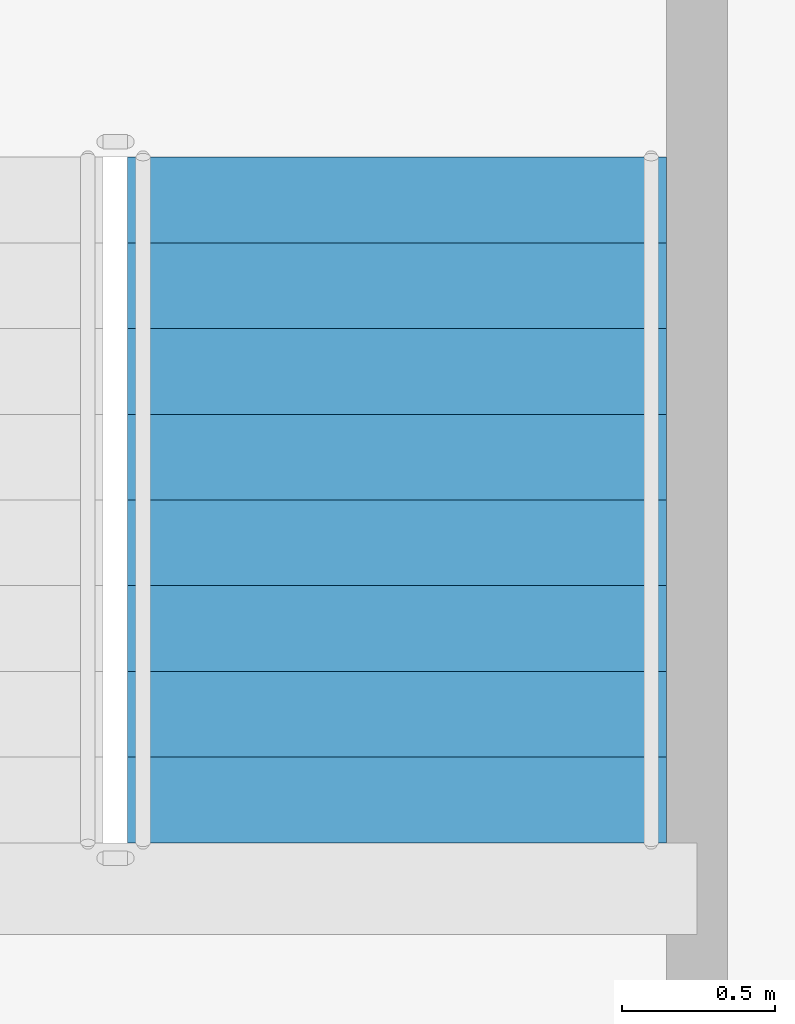
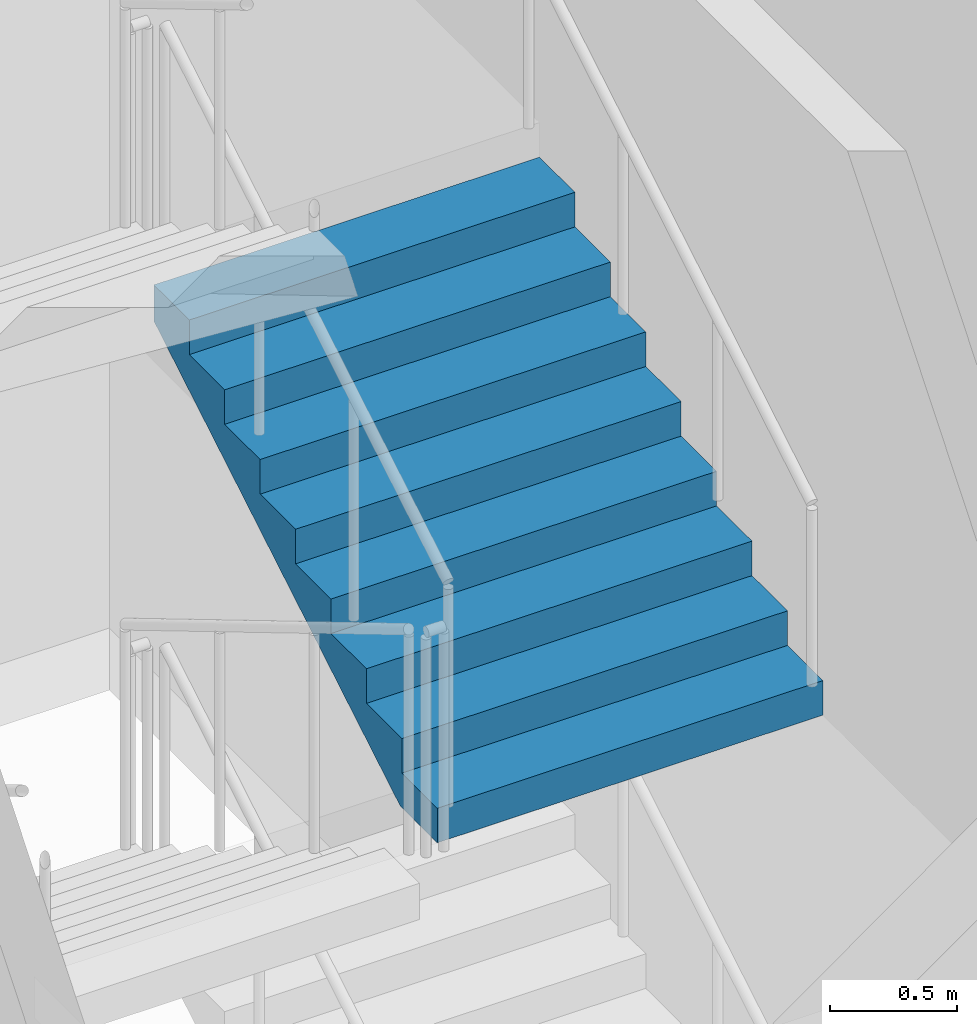
# One storey, part 33 of 39: 1 stair flight, 1 element without a shape of its own.
"""IFC4 building model written with IfcOpenShell, lengths in metres."""

import ifcopenshell
import ifcopenshell.guid

model = None  # the IFC model being written
_history = None  # IfcOwnerHistory: only IFC2X3 demands one
_inside = {}  # id of a spatial element -> (the spatial element, [elements in it])
_under = {}  # id of a project, library or spatial element -> (it, [spatial elements below it])
_declared = {}  # id of a project -> (the project, [libraries it declares])
_typed = {}  # id of a type object -> (the type object, [elements of that type])
_made_of = {}  # id of a material, layer set ... -> (it, [elements and type objects made of it])


def new_model(schema):
    """Start an empty IFC model of exactly this schema.

    Asked for "IFC4X3", IfcOpenShell would pick the latest addendum, in which some entities
    have other attributes; the version numbers below select the first issue.
    IFC2X3 requires an IfcOwnerHistory on every rooted entity: one is made here for all.
    """
    global model, _history
    if schema == "IFC4X3":
        model = ifcopenshell.file(schema_version=(4, 3, 0, 0))
    else:
        model = ifcopenshell.file(schema=schema)
    _inside.clear()
    _under.clear()
    _declared.clear()
    _typed.clear()
    _made_of.clear()
    _history = None
    if model.schema == "IFC2X3":
        org = make("IfcOrganization", Name="unknown")
        user = make(
            "IfcPersonAndOrganization",
            ThePerson=make("IfcPerson", FamilyName="unknown"),
            TheOrganization=org,
        )
        app = make(
            "IfcApplication",
            ApplicationDeveloper=org,
            Version="unknown",
            ApplicationFullName="unknown",
            ApplicationIdentifier="unknown",
        )
        _history = make(
            "IfcOwnerHistory",
            OwningUser=user,
            OwningApplication=app,
            ChangeAction="ADDED",
            CreationDate=0,
        )
    return model


def make(cls, **values):
    """One entity of the class cls with the attributes given. An attribute that is None is left unset."""
    return model.create_entity(
        cls, **{name: value for name, value in values.items() if value is not None}
    )


def rooted(cls, **values):
    """An entity with a GlobalId (a new one), such as an element, a storey or a relation."""
    return make(cls, GlobalId=ifcopenshell.guid.new(), OwnerHistory=_history, **values)


def si_unit(unit_type, name, prefix=None):
    """IfcSIUnit, for example si_unit("LENGTHUNIT", "METRE", prefix="MILLI")."""
    return make("IfcSIUnit", UnitType=unit_type, Prefix=prefix, Name=name)


def assignment(units):
    """IfcUnitAssignment: the units of a project."""
    return None if units is None else make("IfcUnitAssignment", Units=units)


def point(xyz):
    """IfcCartesianPoint."""
    return None if xyz is None else make("IfcCartesianPoint", Coordinates=xyz)


def direction(xyz):
    """IfcDirection."""
    return None if xyz is None else make("IfcDirection", DirectionRatios=xyz)


def frame(location, z_axis=None, x_axis=None):
    """IfcAxis2Placement3D, a coordinate frame: its origin and axes. An axis left out is left unset."""
    return make(
        "IfcAxis2Placement3D",
        Location=point(location),
        Axis=direction(z_axis),
        RefDirection=direction(x_axis),
    )


def origin():
    """The frame at (0, 0, 0) with its axes left unset."""
    return frame((0.0, 0.0, 0.0))


def place(relative_to, where):
    """IfcLocalPlacement: puts the frame where relative to a parent placement (None: the world)."""
    return make(
        "IfcLocalPlacement", PlacementRelTo=relative_to, RelativePlacement=where
    )


def context(
    kind, dimensions, precision=None, world=None, true_north=None, identifier=None
):
    """IfcGeometricRepresentationContext, for example the 3D "Model" context."""
    return make(
        "IfcGeometricRepresentationContext",
        ContextIdentifier=identifier,
        ContextType=kind,
        CoordinateSpaceDimension=dimensions,
        Precision=precision,
        WorldCoordinateSystem=world,
        TrueNorth=true_north,
    )


def subcontext(parent, identifier, kind, view, scale=None):
    """IfcGeometricRepresentationSubContext, for example "Body" below "Model"."""
    return make(
        "IfcGeometricRepresentationSubContext",
        ContextIdentifier=identifier,
        ContextType=kind,
        ParentContext=parent,
        TargetScale=scale,
        TargetView=view,
    )


def project(units=None, contexts=None):
    """IfcProject with its units and contexts."""
    return rooted(
        "IfcProject",
        Name="project",
        RepresentationContexts=contexts,
        UnitsInContext=assignment(units),
    )


def spatial(cls, under=None, at=None, **own):
    """A site, building, storey or space (cls), placed at a placement, below another one or the project."""
    s = rooted(cls, ObjectPlacement=at, **own)
    if under is not None:
        _under.setdefault(under.id(), (under, []))[1].append(s)
    return s


def faces_of(points, faces, orient=None, outer=None):
    """IfcFace entities. A face is a list of loops; a loop is a list of indices into points, from 0.

    orient and outer hold one flag for each loop. By default every Orientation is true, the
    first loop of a face is its IfcFaceOuterBound and the others are IfcFaceBound.
    """
    made = []
    for i, loops in enumerate(faces):
        bounds = []
        for j, loop in enumerate(loops):
            is_outer = j == 0 if outer is None else outer[i][j]
            bounds.append(
                make(
                    "IfcFaceOuterBound" if is_outer else "IfcFaceBound",
                    Bound=make("IfcPolyLoop", Polygon=[points[k] for k in loop]),
                    Orientation=True if orient is None else orient[i][j],
                )
            )
        made.append(make("IfcFace", Bounds=bounds))
    return made


def faceted_brep(points, faces, orient=None, outer=None, voids=None):
    """IfcFacetedBrep: a solid bounded by flat faces; with voids (closed shells), ...WithVoids."""
    shared = [point(p) for p in points]
    hull = make("IfcClosedShell", CfsFaces=faces_of(shared, faces, orient, outer))
    if voids is None:
        return make("IfcFacetedBrep", Outer=hull)
    return make(
        "IfcFacetedBrepWithVoids",
        Outer=hull,
        Voids=[
            make(cls, CfsFaces=faces_of(shared, fs, o, b)) for cls, fs, o, b in voids
        ],
    )


def shape(context_of_items, identifier, shape_type, items):
    """IfcShapeRepresentation: the items that make up one representation, for example the "Body"."""
    return make(
        "IfcShapeRepresentation",
        ContextOfItems=context_of_items,
        RepresentationIdentifier=identifier,
        RepresentationType=shape_type,
        Items=items,
    )


def material(Name=None, Category=None):
    """IfcMaterial."""
    return make("IfcMaterial", Name=Name, Category=Category)


def made_of(thing, what):
    """Note that an element or type object is made of a material, layer set ...; save() writes the relation."""
    if what is not None:
        _made_of.setdefault(what.id(), (what, []))[1].append(thing)
    return thing


def type_object(cls, material=None, **own):
    """A type object (cls), such as IfcWallType, which elements share."""
    return made_of(rooted(cls, **own), material)


def element(
    cls,
    number,
    at=None,
    inside=None,
    cuts=None,
    type_object=None,
    material=None,
    context=None,
    identifier="Body",
    shape_type=None,
    held_by="IfcProductDefinitionShape",
    body=None,
    shapes=None,
    **own,
):
    """One element of the class cls, such as IfcWall. Its Tag is "e" and its number.

    at: its placement. inside: the storey or other place that contains it. cuts: it is an
    opening in that element (IfcRelVoidsElement). A single representation is given by context,
    identifier, shape_type and body (its items); several are given by shapes. held_by: the class
    of the entity that holds the representations. save() writes the other relations.
    """
    e = rooted(cls, Tag="e%d" % number, ObjectPlacement=at, **own)
    if body is not None:
        shapes = [shape(context, identifier, shape_type, body)]
    if shapes is not None:
        e.Representation = make(held_by, Representations=shapes)
    if inside is not None:
        _inside.setdefault(inside.id(), (inside, []))[1].append(e)
    if cuts is not None:
        rooted(
            "IfcRelVoidsElement", RelatingBuildingElement=cuts, RelatedOpeningElement=e
        )
    if type_object is not None:
        _typed.setdefault(type_object.id(), (type_object, []))[1].append(e)
    return made_of(e, material)


def aggregate(whole, parts):
    """IfcRelAggregates: a whole, such as a stair, and the parts it consists of."""
    return rooted("IfcRelAggregates", RelatingObject=whole, RelatedObjects=parts)


def save(model, path):
    """Write the relations noted so far, then the file.

    IfcRelAggregates (storeys below a building ...), IfcRelContainedInSpatialStructure (elements
    in a storey), IfcRelDefinesByType, IfcRelAssociatesMaterial and IfcRelDeclares: one each for
    every whole, place, type object, material and project.
    """
    for whole, parts in _under.values():
        aggregate(whole, parts)
    for where, things in _inside.values():
        rooted(
            "IfcRelContainedInSpatialStructure",
            RelatedElements=things,
            RelatingStructure=where,
        )
    for kind, things in _typed.values():
        rooted("IfcRelDefinesByType", RelatedObjects=things, RelatingType=kind)
    for what, things in _made_of.values():
        rooted("IfcRelAssociatesMaterial", RelatedObjects=things, RelatingMaterial=what)
    for by, libraries in _declared.values():
        rooted("IfcRelDeclares", RelatingContext=by, RelatedDefinitions=libraries)
    model.write(path)


model = new_model("IFC4")

# Units and contexts
model_context = context("Model", 3, precision=1e-05, world=origin(), true_north=direction((0.0, 1.0)))
body_context = subcontext(model_context, "Body", "Model", "MODEL_VIEW")
ifc_project = project(units=[si_unit("LENGTHUNIT", "METRE"), si_unit("AREAUNIT", "SQUARE_METRE"), si_unit("VOLUMEUNIT", "CUBIC_METRE"), si_unit("PLANEANGLEUNIT", "RADIAN"), si_unit("MASSUNIT", "GRAM", prefix="KILO")], contexts=[model_context])

# Site, building, storey
site_placement = place(None, origin())
site = spatial("IfcSite", under=ifc_project, at=site_placement, CompositionType="ELEMENT")
building_placement = place(site_placement, origin())
building = spatial("IfcBuilding", under=site, at=building_placement, Name="Tarsis Ring Headquarters", CompositionType="ELEMENT")
storey_placement = place(building_placement, frame((0.0, 0.0, 86.800048828125)))
storey = spatial("IfcBuildingStorey", under=building, at=storey_placement, Name="L19", CompositionType="ELEMENT", Elevation=86.800048828125)

# Stair, stair flight
ifc_material_1 = material(Name="Core stair 1760")
stair_type = type_object("IfcStairType", Name="Core stair 1760", PredefinedType="HALF_TURN_STAIR", material=ifc_material_1)
stair_placement = place(storey_placement, origin())
stair = element("IfcStair", 1, at=stair_placement, inside=storey, type_object=stair_type, Name="L19 Exit stair B", PredefinedType="HALF_TURN_STAIR")
ifc_material_2 = material(Name="Concrete C40/50", Category="concrete")
stair_flight_type = type_object("IfcStairFlightType", Name="Core stair flight 1760", PredefinedType="STRAIGHT", material=ifc_material_2)
stair_flight_placement = place(storey_placement, frame((5.419921875, 3.659912109375, 3.0), z_axis=(0.0, 0.0, 1.0), x_axis=(0.0, 1.0, 0.0)))
stair_flight = element("IfcStairFlight", 2, at=stair_flight_placement, type_object=stair_flight_type, Name="Stair ST2 flight 3", NumberOfRisers=9, NumberOfTreads=8, PredefinedType="STRAIGHT", RiserHeight=0.166666667, TreadLength=0.28, context=body_context, shape_type="Brep", body=[
    faceted_brep([(0.0, 0.8798828125, 0.0), (0.0, 0.8798828125, 0.166748046875), (0.280029296875, 0.8798828125, 0.166748046875), (0.280029296875, 0.8798828125, 0.333251953125), (0.56005859375, 0.8798828125, 0.333251953125), (0.56005859375, 0.8798828125, 0.5), (0.840087890625, 0.8798828125, 0.5), (0.840087890625, 0.8798828125, 0.666748046875), (1.1201171875, 0.8798828125, 0.666748046875), (1.1201171875, 0.8798828125, 0.833251953125), (1.39990234375, 0.8798828125, 0.833251953125), (1.39990234375, 0.8798828125, 1.0), (1.679931640625, 0.8798828125, 1.0), (1.679931640625, 0.8798828125, 1.166748046875), (1.9599609375, 0.8798828125, 1.166748046875), (1.9599609375, 0.8798828125, 1.333251953125), (2.239990234375, 0.8798828125, 1.333251953125), (2.239990234375, 0.8798828125, 1.158935546875), (0.29296875, 0.8798828125, 0.0), (0.29296875, -0.8798828125, 0.0), (2.239990234375, -0.8798828125, 1.158935546875), (2.239990234375, -0.8798828125, 1.333251953125), (1.9599609375, -0.8798828125, 1.333251953125), (1.9599609375, -0.8798828125, 1.166748046875), (1.679931640625, -0.8798828125, 1.166748046875), (1.679931640625, -0.8798828125, 1.0), (1.39990234375, -0.8798828125, 1.0), (1.39990234375, -0.8798828125, 0.833251953125), (1.1201171875, -0.8798828125, 0.833251953125), (1.1201171875, -0.8798828125, 0.666748046875), (0.840087890625, -0.8798828125, 0.666748046875), (0.840087890625, -0.8798828125, 0.5), (0.56005859375, -0.8798828125, 0.5), (0.56005859375, -0.8798828125, 0.333251953125), (0.280029296875, -0.8798828125, 0.333251953125), (0.280029296875, -0.8798828125, 0.166748046875), (0.0, -0.8798828125, 0.166748046875), (0.0, -0.8798828125, 0.0), (0.0, -0.43994140625, 0.166748046875), (0.0, -0.43994140625, 0.0), (0.0, 0.0, 0.166748046875), (0.0, 0.0, 0.0), (0.0, 0.43994140625, 0.166748046875), (0.0, 0.43994140625, 0.0), (0.280029296875, -0.43994140625, 0.166748046875), (0.280029296875, 0.0, 0.166748046875), (0.280029296875, 0.43994140625, 0.166748046875), (0.280029296875, -0.43994140625, 0.333251953125), (0.280029296875, 0.0, 0.333251953125), (0.280029296875, 0.43994140625, 0.333251953125), (0.56005859375, -0.43994140625, 0.333251953125), (0.56005859375, 0.0, 0.333251953125), (0.56005859375, 0.43994140625, 0.333251953125), (0.56005859375, -0.43994140625, 0.5), (0.56005859375, 0.0, 0.5), (0.56005859375, 0.43994140625, 0.5), (0.840087890625, -0.43994140625, 0.5), (0.840087890625, 0.0, 0.5), (0.840087890625, 0.43994140625, 0.5), (0.840087890625, -0.43994140625, 0.666748046875), (0.840087890625, 0.0, 0.666748046875), (0.840087890625, 0.43994140625, 0.666748046875), (1.1201171875, -0.43994140625, 0.666748046875), (1.1201171875, 0.0, 0.666748046875), (1.1201171875, 0.43994140625, 0.666748046875), (1.1201171875, -0.43994140625, 0.833251953125), (1.1201171875, 0.0, 0.833251953125), (1.1201171875, 0.43994140625, 0.833251953125), (1.39990234375, -0.43994140625, 0.833251953125), (1.39990234375, 0.0, 0.833251953125), (1.39990234375, 0.43994140625, 0.833251953125), (1.39990234375, -0.43994140625, 1.0), (1.39990234375, 0.0, 1.0), (1.39990234375, 0.43994140625, 1.0), (1.679931640625, -0.43994140625, 1.0), (1.679931640625, 0.0, 1.0), (1.679931640625, 0.43994140625, 1.0), (1.679931640625, -0.43994140625, 1.166748046875), (1.679931640625, 0.0, 1.166748046875), (1.679931640625, 0.43994140625, 1.166748046875), (1.9599609375, -0.43994140625, 1.166748046875), (1.9599609375, 0.0, 1.166748046875), (1.9599609375, 0.43994140625, 1.166748046875), (1.9599609375, -0.43994140625, 1.333251953125), (1.9599609375, 0.0, 1.333251953125), (1.9599609375, 0.43994140625, 1.333251953125), (2.239990234375, -0.43994140625, 1.333251953125), (2.239990234375, 0.0, 1.333251953125), (2.239990234375, 0.43994140625, 1.333251953125), (2.239990234375, -0.43994140625, 1.158935546875), (2.239990234375, 0.0, 1.158935546875), (2.239990234375, 0.43994140625, 1.158935546875), (0.29296875, -0.43994140625, 0.0), (0.29296875, 0.0, 0.0), (0.29296875, 0.43994140625, 0.0)], [[[0, 1, 2, 3, 4, 5, 6, 7, 8, 9, 10, 11, 12, 13, 14, 15, 16, 17, 18]], [[19, 20, 21, 22, 23, 24, 25, 26, 27, 28, 29, 30, 31, 32, 33, 34, 35, 36, 37]], [[37, 36, 38, 39]], [[39, 38, 40, 41]], [[41, 40, 42, 43]], [[43, 42, 1, 0]], [[36, 35, 44, 38]], [[38, 44, 45, 40]], [[40, 45, 46, 42]], [[42, 46, 2, 1]], [[35, 34, 47, 44]], [[44, 47, 48, 45]], [[45, 48, 49, 46]], [[46, 49, 3, 2]], [[34, 33, 50, 47]], [[47, 50, 51, 48]], [[48, 51, 52, 49]], [[49, 52, 4, 3]], [[33, 32, 53, 50]], [[50, 53, 54, 51]], [[51, 54, 55, 52]], [[52, 55, 5, 4]], [[32, 31, 56, 53]], [[53, 56, 57, 54]], [[54, 57, 58, 55]], [[55, 58, 6, 5]], [[31, 30, 59, 56]], [[56, 59, 60, 57]], [[57, 60, 61, 58]], [[58, 61, 7, 6]], [[30, 29, 62, 59]], [[59, 62, 63, 60]], [[60, 63, 64, 61]], [[61, 64, 8, 7]], [[29, 28, 65, 62]], [[62, 65, 66, 63]], [[63, 66, 67, 64]], [[64, 67, 9, 8]], [[28, 27, 68, 65]], [[65, 68, 69, 66]], [[66, 69, 70, 67]], [[67, 70, 10, 9]], [[27, 26, 71, 68]], [[68, 71, 72, 69]], [[69, 72, 73, 70]], [[70, 73, 11, 10]], [[26, 25, 74, 71]], [[71, 74, 75, 72]], [[72, 75, 76, 73]], [[73, 76, 12, 11]], [[25, 24, 77, 74]], [[74, 77, 78, 75]], [[75, 78, 79, 76]], [[76, 79, 13, 12]], [[24, 23, 80, 77]], [[77, 80, 81, 78]], [[78, 81, 82, 79]], [[79, 82, 14, 13]], [[23, 22, 83, 80]], [[80, 83, 84, 81]], [[81, 84, 85, 82]], [[82, 85, 15, 14]], [[22, 21, 86, 83]], [[83, 86, 87, 84]], [[84, 87, 88, 85]], [[85, 88, 16, 15]], [[21, 20, 89, 86]], [[86, 89, 90, 87]], [[87, 90, 91, 88]], [[88, 91, 17, 16]], [[20, 19, 92, 89]], [[89, 92, 93, 90]], [[90, 93, 94, 91]], [[91, 94, 18, 17]], [[19, 37, 39, 92]], [[92, 39, 41, 93]], [[93, 41, 43, 94]], [[94, 43, 0, 18]]]),
])
aggregate(stair, [stair_flight])

save(model, "model.ifc")
